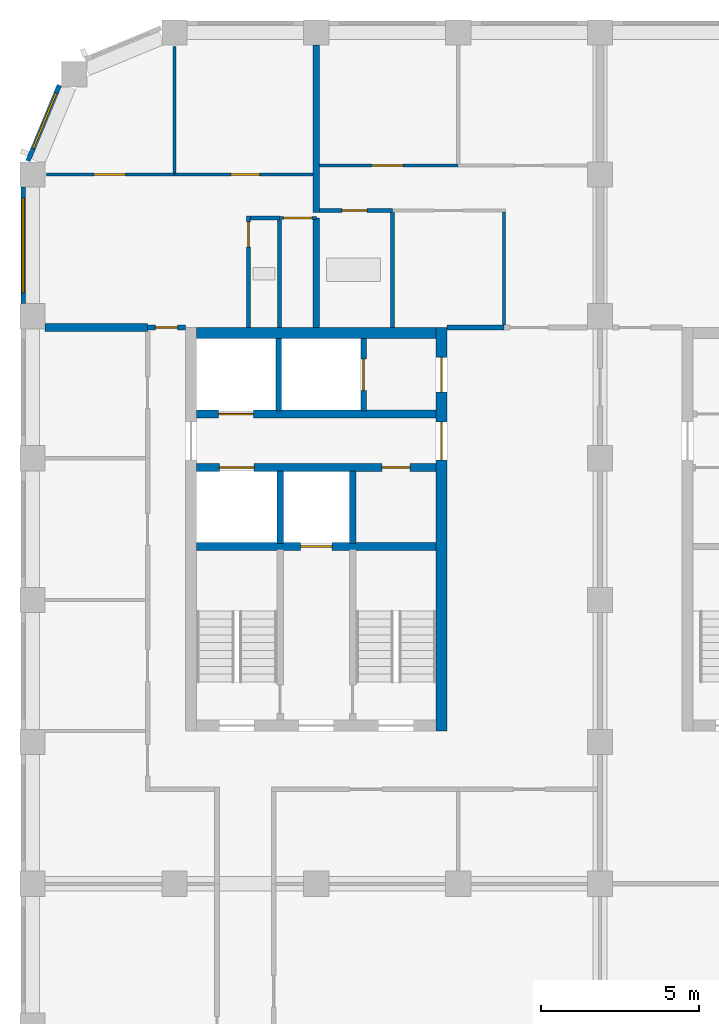
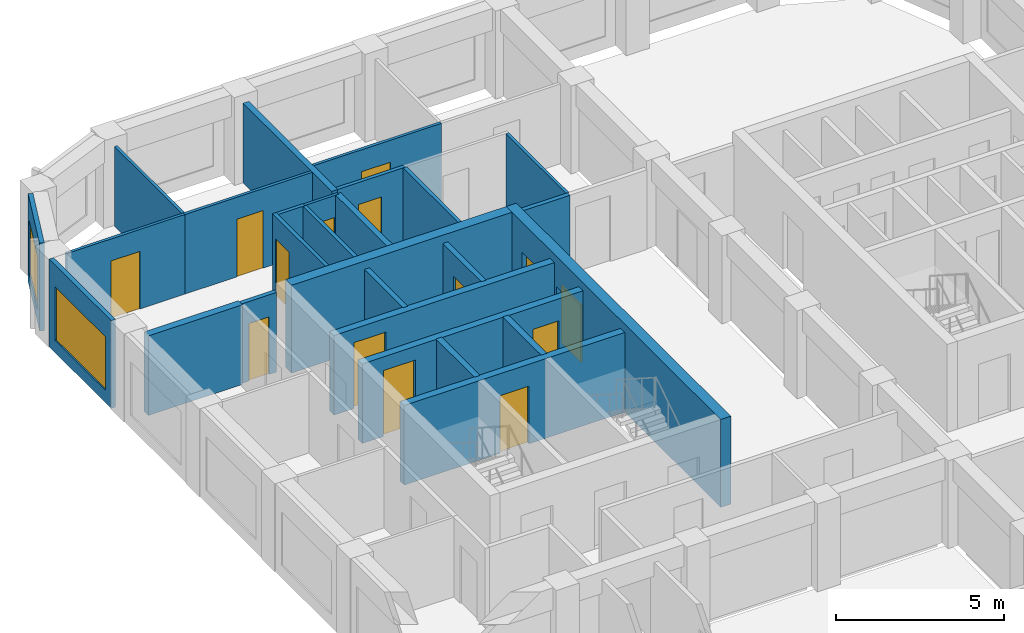
# One storey, part 5 of 9: 27 walls, 14 doors, 2 windows, 16 openings.
"""IFC4 building model written with IfcOpenShell, lengths in metres."""

from ifc_helpers import new_model, si_unit, direction, frame, frame_2d, origin, place, context, subcontext, project, spatial, rectangle, extrude, material, layer, layer_set, type_object, element, fill, save


model = new_model("IFC4")

# Units and contexts
model_context = context("Model", 3, precision=1e-05, world=origin(), true_north=direction((0.0, 1.0)))
body_context = subcontext(model_context, "Body", "Model", "MODEL_VIEW")
ifc_project = project(units=[si_unit("LENGTHUNIT", "METRE"), si_unit("AREAUNIT", "SQUARE_METRE"), si_unit("VOLUMEUNIT", "CUBIC_METRE"), si_unit("PLANEANGLEUNIT", "RADIAN"), si_unit("MASSUNIT", "GRAM", prefix="KILO")], contexts=[model_context])

# Site, building, storey
site_placement = place(None, origin())
site = spatial("IfcSite", under=ifc_project, at=site_placement, CompositionType="ELEMENT")
building_placement = place(site_placement, origin())
building = spatial("IfcBuilding", under=site, at=building_placement, Name="Girih Gate Residences", CompositionType="ELEMENT")
storey_placement = place(building_placement, frame((0.0, 0.0, 222.89501953125)))
storey = spatial("IfcBuildingStorey", under=building, at=storey_placement, Name="L62", CompositionType="ELEMENT", Elevation=222.89501953125)

# Wall
ifc_material_1 = material(Name="Gypsum board on steel studs", Category="steel")
ifc_layer_1 = layer(ifc_material_1, 0.25)
ifc_layer_set_1 = layer_set([ifc_layer_1], Name="Acoustic separating wall 250 mm")
wall_type_1 = type_object("IfcWallType", Name="Acoustic separating wall 250 mm", PredefinedType="PARTITIONING", material=ifc_layer_set_1)
wall_1_placement = place(storey_placement, frame((0.39990234375, 40.14990234375, 0.0), z_axis=(0.0, 0.0, 1.0), x_axis=(1.0, 0.0, 0.0)))
element("IfcWall", 1, at=wall_1_placement, inside=storey, type_object=wall_type_1, Name="L62 partition", PredefinedType="PARTITIONING", context=body_context, shape_type="SweptSolid", body=[
    extrude(rectangle(XDim=3.25, YDim=0.25, at=frame_2d((1.625, 0.0))), origin(), (0.0, 0.0, 1.0), 2.89990234375),
])

# Wall, opening, door
ifc_layer_2 = layer(ifc_material_1, 0.14990234375)
ifc_layer_set_2 = layer_set([ifc_layer_2], Name="Compartment wall 150 mm")
wall_type_2 = type_object("IfcWallType", Name="Compartment wall 150 mm", PredefinedType="PARTITIONING", material=ifc_layer_set_2)
wall_2_placement = place(storey_placement, frame((3.64990234375, 40.14990234375, 0.0), z_axis=(0.0, 0.0, 1.0), x_axis=(1.0, 0.0, 0.0)))
wall_2 = element("IfcWall", 2, at=wall_2_placement, inside=storey, type_object=wall_type_2, Name="L62 partition", PredefinedType="PARTITIONING", context=body_context, shape_type="SweptSolid", body=[
    extrude(rectangle(XDim=1.2001953125, YDim=0.14990234375, at=frame_2d((0.60009765625, 0.0))), origin(), (0.0, 0.0, 1.0), 2.89990234375),
])
opening_1_placement = place(wall_2_placement, frame((0.239990234375, 0.0, 0.0)))
opening_1 = element("IfcOpeningElement", 3, at=opening_1_placement, cuts=wall_2, Name="Opening A62-011", PredefinedType="OPENING", context=body_context, shape_type="SweptSolid", body=[
    extrude(rectangle(XDim=0.699951171875, YDim=2.10009765625, at=frame_2d((0.35009765625, 1.050048828125))), frame((0.0, 0.0849609375, 0.0), z_axis=(0.0, -1.0, 0.0), x_axis=(1.0, 0.0, 0.0)), (0.0, 0.0, 1.0), 0.169921875),
])
ifc_material_2 = material(Name="Timber", Category="wood")
door_type_1 = type_object("IfcDoorType", Name="Narrow door 700x2100", OperationType="NOTDEFINED", PredefinedType="DOOR", material=ifc_material_2)
door_1_placement = place(opening_1_placement, origin())
door_1 = element("IfcDoor", 4, at=door_1_placement, inside=storey, type_object=door_type_1, Name="Door A62-011", OperationType="SINGLE_SWING_LEFT", OverallHeight=2.10009765625, OverallWidth=0.699951171875, PredefinedType="DOOR", context=body_context, shape_type="SweptSolid", body=[
    extrude(rectangle(XDim=0.699951171875, YDim=2.10009765625, at=frame_2d((0.35009765625, 1.050048828125))), frame((0.0, 0.02490234375, 0.0), z_axis=(0.0, -1.0, 0.0), x_axis=(1.0, 0.0, 0.0)), (0.0, 0.0, 1.0), 0.050048828125),
])
fill(opening_1, door_1)

# Walls
wall_3_placement = place(storey_placement, frame((13.14990234375, 40.14990234375, 0.0), z_axis=(0.0, 0.0, 1.0), x_axis=(1.0, 0.0, 0.0)))
element("IfcWall", 5, at=wall_3_placement, inside=storey, type_object=wall_type_2, Name="L62 partition", PredefinedType="PARTITIONING", context=body_context, shape_type="SweptSolid", body=[
    extrude(rectangle(XDim=1.800048828125, YDim=0.14990234375, at=frame_2d((0.89990234375, 0.0))), origin(), (0.0, 0.0, 1.0), 2.89990234375),
])
ifc_material_3 = material(Name="Concrete C60/75", Category="concrete")
ifc_layer_3 = layer(ifc_material_3, 0.35009765625)
ifc_layer_set_3 = layer_set([ifc_layer_3], Name="Core wall RC 350 Concrete C60/75")
wall_type_3 = type_object("IfcWallType", Name="Core wall RC 350 Concrete C60/75", PredefinedType="SOLIDWALL", material=ifc_layer_set_3)
wall_4_placement = place(storey_placement, frame((5.199951171875, 39.97509765625, 0.0), z_axis=(0.0, 0.0, 1.0), x_axis=(1.0, 0.0, 0.0)))
element("IfcWall", 6, at=wall_4_placement, inside=storey, type_object=wall_type_3, Name="Core wall W-N L62", PredefinedType="SOLIDWALL", context=body_context, shape_type="SweptSolid", body=[
    extrude(rectangle(XDim=7.60009765625, YDim=0.35009765625, at=frame_2d((3.800048828125, 0.0))), origin(), (0.0, 0.0, 1.0), 3.199951171875),
])

# Wall, openings, doors
wall_5_placement = place(storey_placement, frame((12.97509765625, 27.35009765625, 0.0), z_axis=(0.0, 0.0, 1.0), x_axis=(0.0, 1.0, 0.0)))
wall_5 = element("IfcWall", 7, at=wall_5_placement, inside=storey, type_object=wall_type_3, Name="Core wall W-E L62", PredefinedType="SOLIDWALL", context=body_context, shape_type="SweptSolid", body=[
    extrude(rectangle(XDim=12.7998046875, YDim=0.35009765625, at=frame_2d((6.39990234375, 0.0))), origin(), (0.0, 0.0, 1.0), 3.199951171875),
])
opening_2_placement = place(wall_5_placement, frame((10.75, 0.0, 0.0)))
opening_2 = element("IfcOpeningElement", 8, at=opening_2_placement, cuts=wall_5, Name="Opening D-L62-W-011", PredefinedType="OPENING", context=body_context, shape_type="SweptSolid", body=[
    extrude(rectangle(XDim=1.10009765625, YDim=2.10009765625, at=frame_2d((0.550048828125, 1.050048828125))), frame((0.0, 0.18505859375, 0.0), z_axis=(0.0, -1.0, 0.0), x_axis=(1.0, 0.0, 0.0)), (0.0, 0.0, 1.0), 0.3701171875),
])
opening_3_placement = place(wall_5_placement, frame((8.60009765625, 0.0, 0.0)))
opening_3 = element("IfcOpeningElement", 9, at=opening_3_placement, cuts=wall_5, Name="Opening D-L62-W-013", PredefinedType="OPENING", context=body_context, shape_type="SweptSolid", body=[
    extrude(rectangle(XDim=1.199951171875, YDim=2.10009765625, at=frame_2d((0.60009765625, 1.050048828125))), frame((0.0, 0.18505859375, 0.0), z_axis=(0.0, -1.0, 0.0), x_axis=(1.0, 0.0, 0.0)), (0.0, 0.0, 1.0), 0.3701171875),
])
ifc_material_4 = material(Name="Painted steel, fire-resisting", Category="steel")
door_type_2 = type_object("IfcDoorType", Name="Fire door 1100x2100", OperationType="SINGLE_SWING_LEFT", PredefinedType="DOOR", material=ifc_material_4)
door_2_placement = place(opening_2_placement, origin())
door_2 = element("IfcDoor", 10, at=door_2_placement, inside=storey, type_object=door_type_2, Name="L62 W core door ffl2-e", OperationType="SINGLE_SWING_LEFT", OverallHeight=2.10009765625, OverallWidth=1.10009765625, PredefinedType="DOOR", context=body_context, shape_type="SweptSolid", body=[
    extrude(rectangle(XDim=1.10009765625, YDim=2.10009765625, at=frame_2d((0.550048828125, 1.050048828125))), frame((0.0, 0.02490234375, 0.0), z_axis=(0.0, -1.0, 0.0), x_axis=(1.0, 0.0, 0.0)), (0.0, 0.0, 1.0), 0.050048828125),
])
fill(opening_2, door_2)
door_type_3 = type_object("IfcDoorType", Name="Fire door 1200x2100", OperationType="SINGLE_SWING_LEFT", PredefinedType="DOOR", material=ifc_material_4)
door_3_placement = place(opening_3_placement, origin())
door_3 = element("IfcDoor", 11, at=door_3_placement, inside=storey, type_object=door_type_3, Name="L62 W core door ll-e", OperationType="SINGLE_SWING_LEFT", OverallHeight=2.10009765625, OverallWidth=1.199951171875, PredefinedType="DOOR", context=body_context, shape_type="SweptSolid", body=[
    extrude(rectangle(XDim=1.199951171875, YDim=2.10009765625, at=frame_2d((0.60009765625, 1.050048828125))), frame((0.0, 0.02490234375, 0.0), z_axis=(0.0, -1.0, 0.0), x_axis=(1.0, 0.0, 0.0)), (0.0, 0.0, 1.0), 0.050048828125),
])
fill(opening_3, door_3)

# Wall, opening, door
ifc_material_5 = material(Name="Concrete C40/50", Category="concrete")
ifc_layer_4 = layer(ifc_material_5, 0.25)
ifc_layer_set_4 = layer_set([ifc_layer_4], Name="Lift shaft wall 250")
wall_type_4 = type_object("IfcWallType", Name="Lift shaft wall 250", PredefinedType="SOLIDWALL", material=ifc_layer_set_4)
wall_6_placement = place(storey_placement, frame((5.199951171875, 33.199951171875, 0.0), z_axis=(0.0, 0.0, 1.0), x_axis=(1.0, 0.0, 0.0)))
wall_6 = element("IfcWall", 12, at=wall_6_placement, inside=storey, type_object=wall_type_4, Name="L62 W core wall H1", PredefinedType="SOLIDWALL", context=body_context, shape_type="SweptSolid", body=[
    extrude(rectangle(XDim=7.60009765625, YDim=0.25, at=frame_2d((3.800048828125, 0.0))), origin(), (0.0, 0.0, 1.0), 2.89990234375),
])
opening_4_placement = place(wall_6_placement, frame((3.300048828125, 0.0, 0.0)))
opening_4 = element("IfcOpeningElement", 13, at=opening_4_placement, cuts=wall_6, Name="Opening D-L62-W-006", PredefinedType="OPENING", context=body_context, shape_type="SweptSolid", body=[
    extrude(rectangle(XDim=1.0, YDim=2.10009765625, at=frame_2d((0.5, 1.050048828125))), frame((0.0, 0.135009765625, 0.0), z_axis=(0.0, -1.0, 0.0), x_axis=(1.0, 0.0, 0.0)), (0.0, 0.0, 1.0), 0.27001953125),
])
ifc_material_6 = material(Name="Stainless steel, fire-resisting", Category="steel")
door_type_4 = type_object("IfcDoorType", Name="Firefighting lift landing door 1000x2100", OperationType="SLIDING_TO_LEFT", PredefinedType="DOOR", material=ifc_material_6)
door_4_placement = place(opening_4_placement, origin())
door_4 = element("IfcDoor", 14, at=door_4_placement, inside=storey, type_object=door_type_4, Name="L62 lift FF-W landing door", OperationType="SLIDING_TO_LEFT", OverallHeight=2.10009765625, OverallWidth=1.0, PredefinedType="DOOR", context=body_context, shape_type="SweptSolid", body=[
    extrude(rectangle(XDim=1.0, YDim=2.10009765625, at=frame_2d((0.5, 1.050048828125))), frame((0.0, 0.02490234375, 0.0), z_axis=(0.0, -1.0, 0.0), x_axis=(1.0, 0.0, 0.0)), (0.0, 0.0, 1.0), 0.050048828125),
])
fill(opening_4, door_4)

# Wall, openings, doors
wall_7_placement = place(storey_placement, frame((5.199951171875, 35.699951171875, 0.0), z_axis=(0.0, 0.0, 1.0), x_axis=(1.0, 0.0, 0.0)))
wall_7 = element("IfcWall", 15, at=wall_7_placement, inside=storey, type_object=wall_type_4, Name="L62 W core wall H2", PredefinedType="SOLIDWALL", context=body_context, shape_type="SweptSolid", body=[
    extrude(rectangle(XDim=7.60009765625, YDim=0.25, at=frame_2d((3.800048828125, 0.0))), origin(), (0.0, 0.0, 1.0), 2.89990234375),
])
opening_5_placement = place(wall_7_placement, frame((0.72509765625, 0.0, 0.0)))
opening_5 = element("IfcOpeningElement", 16, at=opening_5_placement, cuts=wall_7, Name="Opening D-L62-W-005", PredefinedType="OPENING", context=body_context, shape_type="SweptSolid", body=[
    extrude(rectangle(XDim=1.10009765625, YDim=2.39990234375, at=frame_2d((0.550048828125, 1.199951171875))), frame((0.0, 0.135009765625, 0.0), z_axis=(0.0, -1.0, 0.0), x_axis=(1.0, 0.0, 0.0)), (0.0, 0.0, 1.0), 0.27001953125),
])
opening_6_placement = place(wall_7_placement, frame((5.875, 0.0, 0.0)))
opening_6 = element("IfcOpeningElement", 17, at=opening_6_placement, cuts=wall_7, Name="Opening D-L62-W-007", PredefinedType="OPENING", context=body_context, shape_type="SweptSolid", body=[
    extrude(rectangle(XDim=0.89990234375, YDim=2.10009765625, at=frame_2d((0.449951171875, 1.050048828125))), frame((0.0, 0.135009765625, 0.0), z_axis=(0.0, -1.0, 0.0), x_axis=(1.0, 0.0, 0.0)), (0.0, 0.0, 1.0), 0.27001953125),
])
door_type_5 = type_object("IfcDoorType", Name="Fire door 900x2100", OperationType="SINGLE_SWING_LEFT", PredefinedType="DOOR", material=ifc_material_4)
door_5_placement = place(opening_6_placement, origin())
door_5 = element("IfcDoor", 18, at=door_5_placement, inside=storey, type_object=door_type_5, Name="L62 W maintenance store door", OperationType="SINGLE_SWING_LEFT", OverallHeight=2.10009765625, OverallWidth=0.89990234375, PredefinedType="DOOR", context=body_context, shape_type="SweptSolid", body=[
    extrude(rectangle(XDim=0.89990234375, YDim=2.10009765625, at=frame_2d((0.449951171875, 1.050048828125))), frame((0.0, 0.02490234375, 0.0), z_axis=(0.0, -1.0, 0.0), x_axis=(1.0, 0.0, 0.0)), (0.0, 0.0, 1.0), 0.050048828125),
])
fill(opening_6, door_5)
ifc_material_7 = material(Name="Stainless steel", Category="steel")
door_type_6 = type_object("IfcDoorType", Name="Lift landing door 1100x2400", OperationType="SLIDING_TO_LEFT", PredefinedType="DOOR", material=ifc_material_7)
door_6_placement = place(opening_5_placement, origin())
door_6 = element("IfcDoor", 19, at=door_6_placement, inside=storey, type_object=door_type_6, Name="L62 lift HR-W1 landing door", OperationType="SLIDING_TO_LEFT", OverallHeight=2.39990234375, OverallWidth=1.10009765625, PredefinedType="DOOR", context=body_context, shape_type="SweptSolid", body=[
    extrude(rectangle(XDim=1.10009765625, YDim=2.39990234375, at=frame_2d((0.550048828125, 1.199951171875))), frame((0.0, 0.02490234375, 0.0), z_axis=(0.0, -1.0, 0.0), x_axis=(1.0, 0.0, 0.0)), (0.0, 0.0, 1.0), 0.050048828125),
])
fill(opening_5, door_6)

# Wall, opening, door
wall_8_placement = place(storey_placement, frame((5.199951171875, 37.39990234375, 0.0), z_axis=(0.0, 0.0, 1.0), x_axis=(1.0, 0.0, 0.0)))
wall_8 = element("IfcWall", 20, at=wall_8_placement, inside=storey, type_object=wall_type_4, Name="L62 W core wall H3", PredefinedType="SOLIDWALL", context=body_context, shape_type="SweptSolid", body=[
    extrude(rectangle(XDim=7.60009765625, YDim=0.25, at=frame_2d((3.800048828125, 0.0))), origin(), (0.0, 0.0, 1.0), 2.89990234375),
])
opening_7_placement = place(wall_8_placement, frame((0.699951171875, 0.0, 0.0)))
opening_7 = element("IfcOpeningElement", 21, at=opening_7_placement, cuts=wall_8, Name="Opening D-L62-W-003", PredefinedType="OPENING", context=body_context, shape_type="SweptSolid", body=[
    extrude(rectangle(XDim=1.10009765625, YDim=2.39990234375, at=frame_2d((0.550048828125, 1.199951171875))), frame((0.0, 0.135009765625, 0.0), z_axis=(0.0, -1.0, 0.0), x_axis=(1.0, 0.0, 0.0)), (0.0, 0.0, 1.0), 0.27001953125),
])
door_7_placement = place(opening_7_placement, origin())
door_7 = element("IfcDoor", 22, at=door_7_placement, inside=storey, type_object=door_type_6, Name="L62 lift LR-W1 landing door", OperationType="SLIDING_TO_LEFT", OverallHeight=2.39990234375, OverallWidth=1.10009765625, PredefinedType="DOOR", context=body_context, shape_type="SweptSolid", body=[
    extrude(rectangle(XDim=1.10009765625, YDim=2.39990234375, at=frame_2d((0.550048828125, 1.199951171875))), frame((0.0, 0.02490234375, 0.0), z_axis=(0.0, -1.0, 0.0), x_axis=(1.0, 0.0, 0.0)), (0.0, 0.0, 1.0), 0.050048828125),
])
fill(opening_7, door_7)

ifc_layer_5 = layer(ifc_material_1, 0.10009765625)
ifc_layer_set_5 = layer_set([ifc_layer_5], Name="Partition 100 mm")
wall_type_5 = type_object("IfcWallType", Name="Partition 100 mm", PredefinedType="PARTITIONING", material=ifc_layer_set_5)
wall_9_placement = place(storey_placement, frame((4.5, 45.0, 0.0), z_axis=(0.0, 0.0, 1.0), x_axis=(1.0, 0.0, 0.0)))
wall_9 = element("IfcWall", 23, at=wall_9_placement, inside=storey, type_object=wall_type_5, Name="L62 partition", PredefinedType="PARTITIONING", context=body_context, shape_type="SweptSolid", body=[
    extrude(rectangle(XDim=4.39990234375, YDim=0.10009765625, at=frame_2d((2.199951171875, 0.0))), origin(), (0.0, 0.0, 1.0), 2.89990234375),
])
opening_8_placement = place(wall_9_placement, frame((1.800048828125, 0.0, 0.0)))
opening_8 = element("IfcOpeningElement", 24, at=opening_8_placement, cuts=wall_9, Name="Opening A62-008", PredefinedType="OPENING", context=body_context, shape_type="SweptSolid", body=[
    extrude(rectangle(XDim=0.89990234375, YDim=2.10009765625, at=frame_2d((0.449951171875, 1.050048828125))), frame((0.0, 0.06005859375, 0.0), z_axis=(0.0, -1.0, 0.0), x_axis=(1.0, 0.0, 0.0)), (0.0, 0.0, 1.0), 0.1201171875),
])
door_type_7 = type_object("IfcDoorType", Name="Bedroom door 900x2100", OperationType="NOTDEFINED", PredefinedType="DOOR", material=ifc_material_2)
door_8_placement = place(opening_8_placement, origin())
door_8 = element("IfcDoor", 25, at=door_8_placement, inside=storey, type_object=door_type_7, Name="Door A62-008", OperationType="SINGLE_SWING_RIGHT", OverallHeight=2.10009765625, OverallWidth=0.89990234375, PredefinedType="DOOR", context=body_context, shape_type="SweptSolid", body=[
    extrude(rectangle(XDim=0.89990234375, YDim=2.10009765625, at=frame_2d((0.449951171875, 1.050048828125))), frame((0.0, 0.02490234375, 0.0), z_axis=(0.0, -1.0, 0.0), x_axis=(1.0, 0.0, 0.0)), (0.0, 0.0, 1.0), 0.050048828125),
])
fill(opening_8, door_8)

# Wall
wall_10_placement = place(storey_placement, frame((4.5, 45.050048828125, 0.0), z_axis=(0.0, 0.0, 1.0), x_axis=(0.0, 1.0, 0.0)))
element("IfcWall", 26, at=wall_10_placement, inside=storey, type_object=wall_type_5, Name="L62 partition", PredefinedType="PARTITIONING", context=body_context, shape_type="SweptSolid", body=[
    extrude(rectangle(XDim=4.01708984375, YDim=0.10009765625, at=frame_2d((2.008544921875, 0.0))), origin(), (0.0, 0.0, 1.0), 2.89990234375),
])

# Wall, opening, door
wall_11_placement = place(storey_placement, frame((9.0, 43.6201171875, 0.0), z_axis=(0.0, 0.0, 1.0), x_axis=(-1.0, 0.0, 0.0)))
wall_11 = element("IfcWall", 27, at=wall_11_placement, inside=storey, type_object=wall_type_5, Name="L62 partition", PredefinedType="PARTITIONING", context=body_context, shape_type="SweptSolid", body=[
    extrude(rectangle(XDim=1.172607421875, YDim=0.10009765625, at=frame_2d((0.58642578125, 0.0))), origin(), (0.0, 0.0, 1.0), 2.89990234375),
])
opening_9_placement = place(wall_11_placement, frame((0.136474609375, 0.0, 0.0)))
opening_9 = element("IfcOpeningElement", 28, at=opening_9_placement, cuts=wall_11, Name="Opening A62-009", PredefinedType="OPENING", context=body_context, shape_type="SweptSolid", body=[
    extrude(rectangle(XDim=0.89990234375, YDim=2.10009765625, at=frame_2d((0.449951171875, 1.050048828125))), frame((0.0, 0.06005859375, 0.0), z_axis=(0.0, -1.0, 0.0), x_axis=(1.0, 0.0, 0.0)), (0.0, 0.0, 1.0), 0.1201171875),
])
door_type_8 = type_object("IfcDoorType", Name="Kitchen door 900x2100", OperationType="NOTDEFINED", PredefinedType="DOOR", material=ifc_material_2)
door_9_placement = place(opening_9_placement, origin())
door_9 = element("IfcDoor", 29, at=door_9_placement, inside=storey, type_object=door_type_8, Name="Door A62-009", OperationType="SINGLE_SWING_RIGHT", OverallHeight=2.10009765625, OverallWidth=0.89990234375, PredefinedType="DOOR", context=body_context, shape_type="SweptSolid", body=[
    extrude(rectangle(XDim=0.89990234375, YDim=2.10009765625, at=frame_2d((0.449951171875, 1.050048828125))), frame((0.0, 0.02490234375, 0.0), z_axis=(0.0, -1.0, 0.0), x_axis=(1.0, 0.0, 0.0)), (0.0, 0.0, 1.0), 0.050048828125),
])
fill(opening_9, door_9)

wall_12_placement = place(storey_placement, frame((0.432861328125, 45.0, 0.0), z_axis=(0.0, 0.0, 1.0), x_axis=(1.0, 0.0, 0.0)))
wall_12 = element("IfcWall", 30, at=wall_12_placement, inside=storey, type_object=wall_type_5, Name="L62 partition", PredefinedType="PARTITIONING", context=body_context, shape_type="SweptSolid", body=[
    extrude(rectangle(XDim=4.067138671875, YDim=0.10009765625, at=frame_2d((2.03369140625, 0.0))), origin(), (0.0, 0.0, 1.0), 2.89990234375),
])
opening_10_placement = place(wall_12_placement, frame((1.51708984375, 0.0, 0.0)))
opening_10 = element("IfcOpeningElement", 31, at=opening_10_placement, cuts=wall_12, Name="Opening A62-010", PredefinedType="OPENING", context=body_context, shape_type="SweptSolid", body=[
    extrude(rectangle(XDim=1.0, YDim=2.10009765625, at=frame_2d((0.5, 1.050048828125))), frame((0.0, 0.06005859375, 0.0), z_axis=(0.0, -1.0, 0.0), x_axis=(1.0, 0.0, 0.0)), (0.0, 0.0, 1.0), 0.1201171875),
])
door_type_9 = type_object("IfcDoorType", Name="Living room door 1000x2100", OperationType="NOTDEFINED", PredefinedType="DOOR", material=ifc_material_2)
door_10_placement = place(opening_10_placement, origin())
door_10 = element("IfcDoor", 32, at=door_10_placement, inside=storey, type_object=door_type_9, Name="Door A62-010", OperationType="SINGLE_SWING_LEFT", OverallHeight=2.10009765625, OverallWidth=1.0, PredefinedType="DOOR", context=body_context, shape_type="SweptSolid", body=[
    extrude(rectangle(XDim=1.0, YDim=2.10009765625, at=frame_2d((0.5, 1.050048828125))), frame((0.0, 0.02490234375, 0.0), z_axis=(0.0, -1.0, 0.0), x_axis=(1.0, 0.0, 0.0)), (0.0, 0.0, 1.0), 0.050048828125),
])
fill(opening_10, door_10)

# Wall
wall_13_placement = place(storey_placement, frame((14.949951171875, 40.22509765625, 0.0), z_axis=(0.0, 0.0, 1.0), x_axis=(0.0, 1.0, 0.0)))
element("IfcWall", 33, at=wall_13_placement, inside=storey, type_object=wall_type_5, Name="L62 partition", PredefinedType="PARTITIONING", context=body_context, shape_type="SweptSolid", body=[
    extrude(rectangle(XDim=3.5849609375, YDim=0.10009765625, at=frame_2d((1.79248046875, 0.0))), origin(), (0.0, 0.0, 1.0), 2.89990234375),
])

# Wall, opening, door
wall_14_placement = place(storey_placement, frame((9.10009765625, 45.280029296875, 0.0), z_axis=(0.0, 0.0, 1.0), x_axis=(1.0, 0.0, 0.0)))
wall_14 = element("IfcWall", 34, at=wall_14_placement, inside=storey, type_object=wall_type_5, Name="L62 partition", PredefinedType="PARTITIONING", context=body_context, shape_type="SweptSolid", body=[
    extrude(rectangle(XDim=4.39990234375, YDim=0.10009765625, at=frame_2d((2.199951171875, 0.0))), origin(), (0.0, 0.0, 1.0), 2.89990234375),
])
opening_11_placement = place(wall_14_placement, frame((1.64990234375, 0.0, 0.0)))
opening_11 = element("IfcOpeningElement", 35, at=opening_11_placement, cuts=wall_14, Name="Opening A62-015", PredefinedType="OPENING", context=body_context, shape_type="SweptSolid", body=[
    extrude(rectangle(XDim=1.0, YDim=2.10009765625, at=frame_2d((0.5, 1.050048828125))), frame((0.0, 0.06005859375, 0.0), z_axis=(0.0, -1.0, 0.0), x_axis=(1.0, 0.0, 0.0)), (0.0, 0.0, 1.0), 0.1201171875),
])
door_11_placement = place(opening_11_placement, origin())
door_11 = element("IfcDoor", 36, at=door_11_placement, inside=storey, type_object=door_type_9, Name="Door A62-015", OperationType="SINGLE_SWING_LEFT", OverallHeight=2.10009765625, OverallWidth=1.0, PredefinedType="DOOR", context=body_context, shape_type="SweptSolid", body=[
    extrude(rectangle(XDim=1.0, YDim=2.10009765625, at=frame_2d((0.5, 1.050048828125))), frame((0.0, 0.02490234375, 0.0), z_axis=(0.0, -1.0, 0.0), x_axis=(1.0, 0.0, 0.0)), (0.0, 0.0, 1.0), 0.050048828125),
])
fill(opening_11, door_11)

# Walls
ifc_layer_6 = layer(ifc_material_1, 0.199951171875)
ifc_layer_set_6 = layer_set([ifc_layer_6], Name="Party wall 200 mm")
wall_type_6 = type_object("IfcWallType", Name="Party wall 200 mm", PredefinedType="PARTITIONING", material=ifc_layer_set_6)
wall_15_placement = place(storey_placement, frame((9.0, 43.797607421875, 0.0), z_axis=(0.0, 0.0, 1.0), x_axis=(0.0, 1.0, 0.0)))
element("IfcWall", 37, at=wall_15_placement, inside=storey, type_object=wall_type_6, Name="L62 partition", PredefinedType="PARTITIONING", context=body_context, shape_type="SweptSolid", body=[
    extrude(rectangle(XDim=5.302490234375, YDim=0.199951171875, at=frame_2d((2.6513671875, 0.0))), origin(), (0.0, 0.0, 1.0), 2.89990234375),
])
wall_16_placement = place(storey_placement, frame((9.0, 40.14990234375, 0.0), z_axis=(0.0, 0.0, 1.0), x_axis=(0.0, 1.0, 0.0)))
element("IfcWall", 38, at=wall_16_placement, inside=storey, type_object=wall_type_6, Name="L62 partition", PredefinedType="PARTITIONING", context=body_context, shape_type="SweptSolid", body=[
    extrude(rectangle(XDim=3.47021484375, YDim=0.199951171875, at=frame_2d((1.735107421875, 0.0))), origin(), (0.0, 0.0, 1.0), 2.89990234375),
])

# Wall, opening, window
ifc_material_8 = material(Name="Precast concrete C50/60", Category="concrete")
ifc_layer_7 = layer(ifc_material_8, 0.050048828125, Name="Outer leaf")
ifc_material_9 = material(Name="Rigid PIR insulation")
ifc_layer_8 = layer(ifc_material_9, 0.06005859375, Name="Insulation")
ifc_material_10 = material(Name="Precast concrete C40/50", Category="concrete")
ifc_layer_9 = layer(ifc_material_10, 0.0400390625, Name="Inner leaf")
ifc_layer_set_7 = layer_set([ifc_layer_7, ifc_layer_8, ifc_layer_9], Name="Precast concrete C50/60 external wall 150")
wall_type_7 = type_object("IfcWallType", Name="Precast concrete C50/60 external wall 150", PredefinedType="SOLIDWALL", material=ifc_layer_set_7)
wall_17_placement = place(storey_placement, frame((-0.147216796875, 45.4287109375, 0.0), z_axis=(0.0, 0.0, 1.0), x_axis=(0.382669406082, 0.923885342263, 0.0)))
wall_17 = element("IfcWall", 39, at=wall_17_placement, inside=storey, type_object=wall_type_7, Name="External wall NW0013_0482.0", PredefinedType="SOLIDWALL", context=body_context, shape_type="SweptSolid", body=[
    extrude(rectangle(XDim=2.602294921875, YDim=0.14990234375, at=frame_2d((1.30126953125, 0.0))), origin(), (0.0, 0.0, 1.0), 3.199951171875),
])
opening_12_placement = place(wall_17_placement, frame((0.432373046875, 0.0, 0.449951171875)))
opening_12 = element("IfcOpeningElement", 40, at=opening_12_placement, cuts=wall_17, Name="Opening W-2G", PredefinedType="OPENING", context=body_context, shape_type="SweptSolid", body=[
    extrude(rectangle(XDim=1.89990234375, YDim=1.949951171875, at=frame_2d((0.949951171875, 0.97509765625))), frame((0.0, 0.0849609375, 0.0), z_axis=(0.0, -1.0, 0.0), x_axis=(1.0, 0.0, 0.0)), (0.0, 0.0, 1.0), 0.169921875),
])
ifc_material_11 = material(Name="Double glazing in aluminium frame", Category="aluminium")
window_type_1 = type_object("IfcWindowType", Name="Window W-2G 1900x1950", PartitioningType="SINGLE_PANEL", PredefinedType="WINDOW", material=ifc_material_11)
window_1_placement = place(opening_12_placement, origin())
window_1 = element("IfcWindow", 41, at=window_1_placement, inside=storey, type_object=window_type_1, Name="Window W-2G NW0013_0482.0", OverallHeight=1.949951171875, OverallWidth=1.89990234375, PartitioningType="SINGLE_PANEL", PredefinedType="WINDOW", context=body_context, shape_type="SweptSolid", body=[
    extrude(rectangle(XDim=1.89990234375, YDim=1.949951171875, at=frame_2d((0.949951171875, 0.97509765625))), frame((0.0, 0.030029296875, 0.0), z_axis=(0.0, -1.0, 0.0), x_axis=(1.0, 0.0, 0.0)), (0.0, 0.0, 1.0), 0.06005859375),
])
fill(opening_12, window_1)

wall_18_placement = place(storey_placement, frame((-0.300048828125, 40.89990234375, 0.0), z_axis=(0.0, 0.0, 1.0), x_axis=(0.0, 1.0, 0.0)))
wall_18 = element("IfcWall", 42, at=wall_18_placement, inside=storey, type_object=wall_type_7, Name="External wall W0000_0450.0", PredefinedType="SOLIDWALL", context=body_context, shape_type="SweptSolid", body=[
    extrude(rectangle(XDim=3.7001953125, YDim=0.14990234375, at=frame_2d((1.85009765625, 0.0))), origin(), (0.0, 0.0, 1.0), 3.199951171875),
])
opening_13_placement = place(wall_18_placement, frame((0.35009765625, 0.0, 0.449951171875)))
opening_13 = element("IfcOpeningElement", 43, at=opening_13_placement, cuts=wall_18, Name="Opening W-1D", PredefinedType="OPENING", context=body_context, shape_type="SweptSolid", body=[
    extrude(rectangle(XDim=3.0, YDim=1.949951171875, at=frame_2d((1.5, 0.97509765625))), frame((0.0, 0.0849609375, 0.0), z_axis=(0.0, -1.0, 0.0), x_axis=(1.0, 0.0, 0.0)), (0.0, 0.0, 1.0), 0.169921875),
])
window_type_2 = type_object("IfcWindowType", Name="Window W-1D 3000x1950", PartitioningType="SINGLE_PANEL", PredefinedType="WINDOW", material=ifc_material_11)
window_2_placement = place(opening_13_placement, origin())
window_2 = element("IfcWindow", 44, at=window_2_placement, inside=storey, type_object=window_type_2, Name="Window W-1D W0000_0450.0", OverallHeight=1.949951171875, OverallWidth=3.0, PartitioningType="SINGLE_PANEL", PredefinedType="WINDOW", context=body_context, shape_type="SweptSolid", body=[
    extrude(rectangle(XDim=3.0, YDim=1.949951171875, at=frame_2d((1.5, 0.97509765625))), frame((0.0, 0.030029296875, 0.0), z_axis=(0.0, -1.0, 0.0), x_axis=(1.0, 0.0, 0.0)), (0.0, 0.0, 1.0), 0.06005859375),
])
fill(opening_13, window_2)

# Wall
ifc_layer_10 = layer(ifc_material_5, 0.175048828125)
ifc_layer_set_8 = layer_set([ifc_layer_10], Name="Riser shaft wall 175")
wall_type_8 = type_object("IfcWallType", Name="Riser shaft wall 175", PredefinedType="SOLIDWALL", material=ifc_layer_set_8)
wall_19_placement = place(storey_placement, frame((7.800048828125, 37.5, 0.0), z_axis=(0.0, 0.0, 1.0), x_axis=(0.0, 1.0, 0.0)))
element("IfcWall", 45, at=wall_19_placement, inside=storey, type_object=wall_type_8, Name="L62 W core wall V1c", PredefinedType="SOLIDWALL", context=body_context, shape_type="SweptSolid", body=[
    extrude(rectangle(XDim=2.300048828125, YDim=0.175048828125, at=frame_2d((1.14990234375, 0.0))), origin(), (0.0, 0.0, 1.0), 2.89990234375),
])

# Wall, opening, door
wall_20_placement = place(storey_placement, frame((10.5, 37.5, 0.0), z_axis=(0.0, 0.0, 1.0), x_axis=(0.0, 1.0, 0.0)))
wall_20 = element("IfcWall", 46, at=wall_20_placement, inside=storey, type_object=wall_type_8, Name="L62 W core wall V2c", PredefinedType="SOLIDWALL", context=body_context, shape_type="SweptSolid", body=[
    extrude(rectangle(XDim=2.300048828125, YDim=0.175048828125, at=frame_2d((1.14990234375, 0.0))), origin(), (0.0, 0.0, 1.0), 2.89990234375),
])
opening_14_placement = place(wall_20_placement, frame((0.64990234375, 0.0, 0.0)))
opening_14 = element("IfcOpeningElement", 47, at=opening_14_placement, cuts=wall_20, Name="Opening D-L62-W-004", PredefinedType="OPENING", context=body_context, shape_type="SweptSolid", body=[
    extrude(rectangle(XDim=1.0, YDim=2.10009765625, at=frame_2d((0.5, 1.050048828125))), frame((0.0, 0.097412109375, 0.0), z_axis=(0.0, -1.0, 0.0), x_axis=(1.0, 0.0, 0.0)), (0.0, 0.0, 1.0), 0.195068359375),
])
door_12_placement = place(opening_14_placement, origin())
door_12 = element("IfcDoor", 48, at=door_12_placement, inside=storey, type_object=door_type_4, Name="L62 lift FF-W2 landing door", OperationType="SLIDING_TO_LEFT", OverallHeight=2.10009765625, OverallWidth=1.0, PredefinedType="DOOR", context=body_context, shape_type="SweptSolid", body=[
    extrude(rectangle(XDim=1.0, YDim=2.10009765625, at=frame_2d((0.5, 1.050048828125))), frame((0.0, 0.02490234375, 0.0), z_axis=(0.0, -1.0, 0.0), x_axis=(1.0, 0.0, 0.0)), (0.0, 0.0, 1.0), 0.050048828125),
])
fill(opening_14, door_12)

# Walls
ifc_layer_11 = layer(ifc_material_5, 0.199951171875)
ifc_layer_set_9 = layer_set([ifc_layer_11], Name="Shaft wall 200")
wall_type_9 = type_object("IfcWallType", Name="Shaft wall 200", PredefinedType="SOLIDWALL", material=ifc_layer_set_9)
for number, where, z_axis, x_axis, name in (
    (49, (7.85009765625, 33.300048828125, 0.0), (0.0, 0.0, 1.0), (0.0, 1.0, 0.0), "L62 W core wall V1b"),
    (50, (10.14990234375, 33.300048828125, 0.0), (0.0, 0.0, 1.0), (0.0, 1.0, 0.0), "L62 W core wall V2b"),
):
    element("IfcWall", number, at=place(storey_placement, frame(where, z_axis=z_axis, x_axis=x_axis)), inside=storey, type_object=wall_type_9, Name=name, PredefinedType="SOLIDWALL", context=body_context, shape_type="SweptSolid", body=[
        extrude(rectangle(XDim=2.300048828125, YDim=0.199951171875, at=frame_2d((1.14990234375, 0.0))), origin(), (0.0, 0.0, 1.0), 2.89990234375),
    ])

# Wall, opening, door
ifc_layer_12 = layer(ifc_material_1, 0.125)
ifc_layer_set_10 = layer_set([ifc_layer_12], Name="Wet room wall 125 mm")
wall_type_10 = type_object("IfcWallType", Name="Wet room wall 125 mm", PredefinedType="PARTITIONING", material=ifc_layer_set_10)
wall_21_placement = place(storey_placement, frame((6.85009765625, 43.6826171875, 0.0), z_axis=(0.0, 0.0, 1.0), x_axis=(0.0, -1.0, 0.0)))
wall_21 = element("IfcWall", 51, at=wall_21_placement, inside=storey, type_object=wall_type_10, Name="L62 partition", PredefinedType="PARTITIONING", context=body_context, shape_type="SweptSolid", body=[
    extrude(rectangle(XDim=3.53271484375, YDim=0.125, at=frame_2d((1.766357421875, 0.0))), origin(), (0.0, 0.0, 1.0), 2.89990234375),
])
opening_15_placement = place(wall_21_placement, frame((0.1826171875, 0.0, 0.0)))
opening_15 = element("IfcOpeningElement", 52, at=opening_15_placement, cuts=wall_21, Name="Opening A62-007", PredefinedType="OPENING", context=body_context, shape_type="SweptSolid", body=[
    extrude(rectangle(XDim=0.800048828125, YDim=2.10009765625, at=frame_2d((0.39990234375, 1.050048828125))), frame((0.0, 0.072509765625, 0.0), z_axis=(0.0, -1.0, 0.0), x_axis=(1.0, 0.0, 0.0)), (0.0, 0.0, 1.0), 0.14501953125),
])
door_type_10 = type_object("IfcDoorType", Name="Bathroom door 800x2100", OperationType="NOTDEFINED", PredefinedType="DOOR", material=ifc_material_2)
door_13_placement = place(opening_15_placement, origin())
door_13 = element("IfcDoor", 53, at=door_13_placement, inside=storey, type_object=door_type_10, Name="Door A62-007", OperationType="SINGLE_SWING_LEFT", OverallHeight=2.10009765625, OverallWidth=0.800048828125, PredefinedType="DOOR", context=body_context, shape_type="SweptSolid", body=[
    extrude(rectangle(XDim=0.800048828125, YDim=2.10009765625, at=frame_2d((0.39990234375, 1.050048828125))), frame((0.0, 0.02490234375, 0.0), z_axis=(0.0, -1.0, 0.0), x_axis=(1.0, 0.0, 0.0)), (0.0, 0.0, 1.0), 0.050048828125),
])
fill(opening_15, door_13)

# Walls
wall_22_placement = place(storey_placement, frame((6.91259765625, 43.6201171875, 0.0), z_axis=(0.0, 0.0, 1.0), x_axis=(1.0, 0.0, 0.0)))
element("IfcWall", 54, at=wall_22_placement, inside=storey, type_object=wall_type_10, Name="L62 partition", PredefinedType="PARTITIONING", context=body_context, shape_type="SweptSolid", body=[
    extrude(rectangle(XDim=0.914794921875, YDim=0.125, at=frame_2d((0.45751953125, 0.0))), origin(), (0.0, 0.0, 1.0), 2.89990234375),
])
wall_23_placement = place(storey_placement, frame((7.826904296875, 40.14990234375, 0.0), z_axis=(0.0, 0.0, 1.0), x_axis=(0.0, 1.0, 0.0)))
element("IfcWall", 55, at=wall_23_placement, inside=storey, type_object=wall_type_10, Name="L62 partition", PredefinedType="PARTITIONING", context=body_context, shape_type="SweptSolid", body=[
    extrude(rectangle(XDim=3.40771484375, YDim=0.125, at=frame_2d((1.703857421875, 0.0))), origin(), (0.0, 0.0, 1.0), 2.89990234375),
])

# Wall, opening, door
wall_24_placement = place(storey_placement, frame((11.418212890625, 43.860107421875, 0.0), z_axis=(0.0, 0.0, 1.0), x_axis=(-1.0, 0.0, 0.0)))
wall_24 = element("IfcWall", 56, at=wall_24_placement, inside=storey, type_object=wall_type_10, Name="L62 partition", PredefinedType="PARTITIONING", context=body_context, shape_type="SweptSolid", body=[
    extrude(rectangle(XDim=2.318115234375, YDim=0.125, at=frame_2d((1.1591796875, 0.0))), origin(), (0.0, 0.0, 1.0), 2.89990234375),
])
opening_16_placement = place(wall_24_placement, frame((0.80908203125, 0.0, 0.0)))
opening_16 = element("IfcOpeningElement", 57, at=opening_16_placement, cuts=wall_24, Name="Opening A62-012", PredefinedType="OPENING", context=body_context, shape_type="SweptSolid", body=[
    extrude(rectangle(XDim=0.800048828125, YDim=2.10009765625, at=frame_2d((0.39990234375, 1.050048828125))), frame((0.0, 0.072509765625, 0.0), z_axis=(0.0, -1.0, 0.0), x_axis=(1.0, 0.0, 0.0)), (0.0, 0.0, 1.0), 0.14501953125),
])
door_14_placement = place(opening_16_placement, origin())
door_14 = element("IfcDoor", 58, at=door_14_placement, inside=storey, type_object=door_type_10, Name="Door A62-012", OperationType="SINGLE_SWING_RIGHT", OverallHeight=2.10009765625, OverallWidth=0.800048828125, PredefinedType="DOOR", context=body_context, shape_type="SweptSolid", body=[
    extrude(rectangle(XDim=0.800048828125, YDim=2.10009765625, at=frame_2d((0.39990234375, 1.050048828125))), frame((0.0, 0.02490234375, 0.0), z_axis=(0.0, -1.0, 0.0), x_axis=(1.0, 0.0, 0.0)), (0.0, 0.0, 1.0), 0.050048828125),
])
fill(opening_16, door_14)

# Wall
wall_25_placement = place(storey_placement, frame((11.41796875, 40.14990234375, 0.0), z_axis=(0.0, 0.0, 1.0), x_axis=(0.0, 1.0, 0.0)))
element("IfcWall", 59, at=wall_25_placement, inside=storey, type_object=wall_type_10, Name="L62 partition", PredefinedType="PARTITIONING", context=body_context, shape_type="SweptSolid", body=[
    extrude(rectangle(XDim=3.647705078125, YDim=0.125, at=frame_2d((1.82373046875, 0.0))), origin(), (0.0, 0.0, 1.0), 2.89990234375),
])

save(model, "model.ifc")
